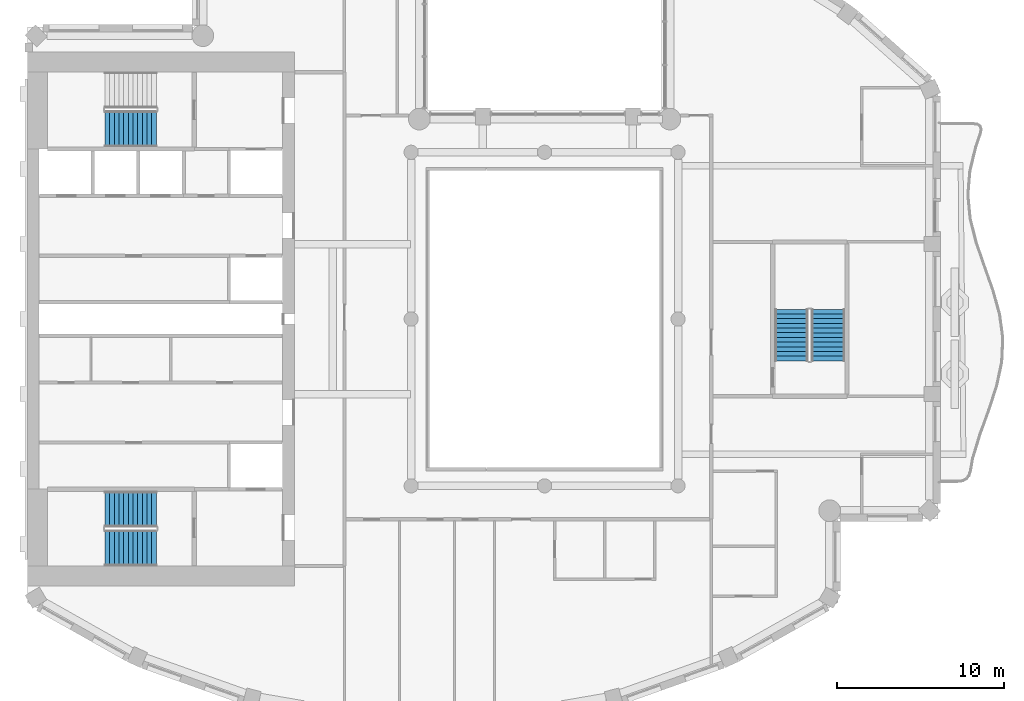
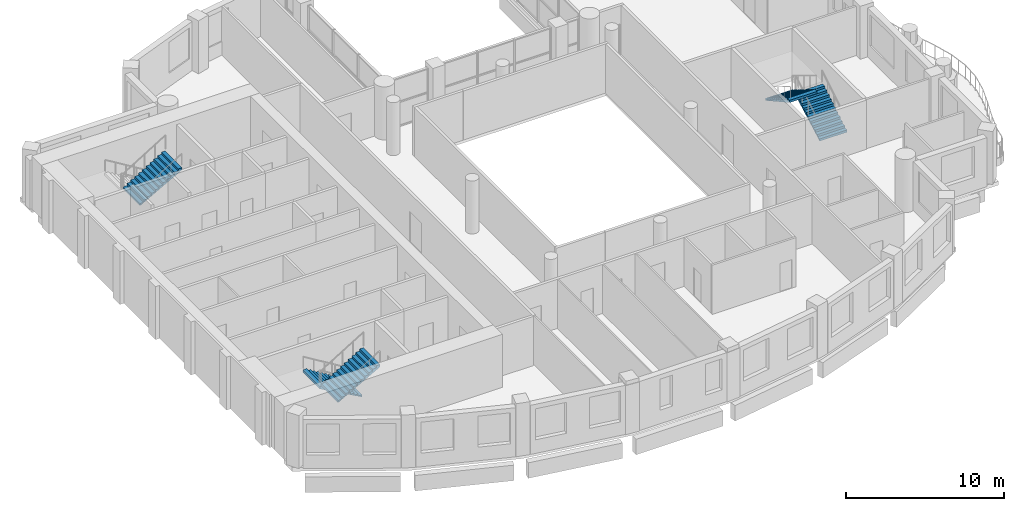
# One storey, part 8 of 14: 5 stair flights, 3 elements without a shape of their own.
"""IFC4 building model written with IfcOpenShell, lengths in metres."""

from ifc_helpers import new_model, si_unit, direction, frame, origin, place, context, subcontext, project, spatial, triangles, material, type_object, element, aggregate, save


model = new_model("IFC4")

# Units and contexts
model_context = context("Model", 3, precision=1e-05, world=origin(), true_north=direction((0.0, 1.0)))
body_context = subcontext(model_context, "Body", "Model", "MODEL_VIEW")
ifc_project = project(units=[si_unit("LENGTHUNIT", "METRE"), si_unit("AREAUNIT", "SQUARE_METRE"), si_unit("VOLUMEUNIT", "CUBIC_METRE"), si_unit("PLANEANGLEUNIT", "RADIAN"), si_unit("MASSUNIT", "GRAM", prefix="KILO")], contexts=[model_context])

# Site, building, storey
site_placement = place(None, origin())
site = spatial("IfcSite", under=ifc_project, at=site_placement, CompositionType="ELEMENT")
building_placement = place(site_placement, origin())
building = spatial("IfcBuilding", under=site, at=building_placement, Name="Cypress Arch Tower", CompositionType="ELEMENT")
storey_placement = place(building_placement, frame((0.0, 0.0, 284.39990234375)))
storey = spatial("IfcBuildingStorey", under=building, at=storey_placement, Name="L64", CompositionType="ELEMENT", Elevation=284.39990234375)

# Stair, stair flights
ifc_material_1 = material(Name="Concrete C40/50", Category="concrete")
stair_type_1 = type_object("IfcStairType", Name="Exit stair ES1708-200", PredefinedType="HALF_TURN_STAIR", material=ifc_material_1)
stair_1_placement = place(storey_placement, origin())
stair_1 = element("IfcStair", 1, at=stair_1_placement, inside=storey, type_object=stair_type_1, Name="L64 Exit stair C", PredefinedType="HALF_TURN_STAIR")
ifc_material_2 = material(Name="Concrete C40/50", Category="concrete")
stair_flight_type_1 = type_object("IfcStairFlightType", Name="Exit stair flight ES1708-200", PredefinedType="STRAIGHT", material=ifc_material_2)
stair_flight_1_placement = place(storey_placement, frame((18.0, -2.5, 0.0), z_axis=(0.0, 0.0, 1.0), x_axis=(0.0, 1.0, 0.0)))
stair_flight_1 = element("IfcStairFlight", 2, at=stair_flight_1_placement, type_object=stair_flight_type_1, Name="C flight 1", NumberOfRisers=12, NumberOfTreads=11, PredefinedType="STRAIGHT", RiserHeight=0.170833333, TreadLength=0.28, context=body_context, shape_type="Tessellation", body=[
    triangles([(0.0, -1.0, 0.0), (0.0, -1.0, 0.1708984375), (0.280029296875, -1.0, 0.1708984375), (0.280029296875, -1.0, 0.341552734375), (0.56005859375, -1.0, 0.341552734375), (0.56005859375, -1.0, 0.512451171875), (0.840087890625, -1.0, 0.512451171875), (0.840087890625, -1.0, 0.683349609375), (1.1201171875, -1.0, 0.683349609375), (1.1201171875, -1.0, 0.854248046875), (1.39990234375, -1.0, 0.854248046875), (1.39990234375, -1.0, 1.02490234375), (1.679931640625, -1.0, 1.02490234375), (1.679931640625, -1.0, 1.19580078125), (1.9599609375, -1.0, 1.19580078125), (1.9599609375, -1.0, 1.36669921875), (2.239990234375, -1.0, 1.36669921875), (2.239990234375, -1.0, 1.53759765625), (2.52001953125, -1.0, 1.53759765625), (2.52001953125, -1.0, 1.708251953125), (2.800048828125, -1.0, 1.708251953125), (2.800048828125, -1.0, 1.879150390625), (3.080078125, -1.0, 1.879150390625), (3.080078125, -1.0, 1.70361328125), (3.080078125, 1.0, 1.70361328125), (3.080078125, 1.0, 1.879150390625), (2.800048828125, 1.0, 1.879150390625), (2.800048828125, 1.0, 1.708251953125), (2.52001953125, 1.0, 1.708251953125), (2.52001953125, 1.0, 1.53759765625), (2.239990234375, 1.0, 1.53759765625), (2.239990234375, 1.0, 1.36669921875), (1.9599609375, 1.0, 1.36669921875), (1.9599609375, 1.0, 1.19580078125), (1.679931640625, 1.0, 1.19580078125), (1.679931640625, 1.0, 1.02490234375), (1.39990234375, 1.0, 1.02490234375), (1.39990234375, 1.0, 0.854248046875), (1.1201171875, 1.0, 0.854248046875), (1.1201171875, 1.0, 0.683349609375), (0.840087890625, 1.0, 0.683349609375), (0.840087890625, 1.0, 0.512451171875), (0.56005859375, 1.0, 0.512451171875), (0.56005859375, 1.0, 0.341552734375), (0.280029296875, 1.0, 0.341552734375), (0.280029296875, 1.0, 0.1708984375), (0.0, 1.0, 0.1708984375), (0.0, 1.0, 0.0), (3.080078125, 0.0, 1.879150390625), (3.080078125, 0.0, 1.70361328125), (2.800048828125, 0.0, 1.879150390625), (2.800048828125, 0.0, 1.708251953125), (2.52001953125, 0.0, 1.708251953125), (2.52001953125, 0.0, 1.53759765625), (2.239990234375, 0.0, 1.53759765625), (2.239990234375, 0.0, 1.36669921875), (1.9599609375, 0.0, 1.36669921875), (1.9599609375, 0.0, 1.19580078125), (1.679931640625, 0.0, 1.19580078125), (1.679931640625, 0.0, 1.02490234375), (1.39990234375, 0.0, 1.02490234375), (1.39990234375, 0.0, 0.854248046875), (1.1201171875, 0.0, 0.854248046875), (1.1201171875, 0.0, 0.683349609375), (0.840087890625, 0.0, 0.683349609375), (0.840087890625, 0.0, 0.512451171875), (0.56005859375, 0.0, 0.512451171875), (0.56005859375, 0.0, 0.341552734375), (0.280029296875, 0.0, 0.341552734375), (0.280029296875, 0.0, 0.1708984375), (0.0, 0.0, 0.1708984375), (0.0, 0.0, 0.0)], [[24, 23, 22], [11, 10, 9], [19, 18, 17], [17, 16, 15], [15, 14, 13], [9, 8, 7], [7, 6, 5], [3, 2, 1], [21, 20, 19], [13, 12, 11], [5, 4, 3], [24, 22, 21], [24, 21, 19], [24, 19, 17], [24, 17, 15], [24, 15, 13], [24, 13, 11], [24, 11, 9], [24, 9, 7], [24, 7, 5], [1, 24, 5], [5, 3, 1], [25, 27, 26], [38, 40, 39], [30, 32, 31], [32, 34, 33], [34, 36, 35], [40, 42, 41], [42, 44, 43], [46, 48, 47], [28, 30, 29], [36, 38, 37], [44, 46, 45], [25, 28, 27], [25, 30, 28], [25, 32, 30], [25, 34, 32], [25, 36, 34], [25, 38, 36], [25, 40, 38], [25, 42, 40], [25, 44, 42], [48, 44, 25], [44, 48, 46], [50, 49, 23], [50, 23, 24], [25, 26, 49], [25, 49, 50], [49, 51, 22], [49, 22, 23], [26, 27, 51], [26, 51, 49], [51, 52, 21], [51, 21, 22], [27, 28, 52], [27, 52, 51], [52, 53, 20], [52, 20, 21], [28, 29, 53], [28, 53, 52], [53, 54, 19], [53, 19, 20], [29, 30, 54], [29, 54, 53], [54, 55, 18], [54, 18, 19], [30, 31, 55], [30, 55, 54], [55, 56, 17], [55, 17, 18], [31, 32, 56], [31, 56, 55], [56, 57, 16], [56, 16, 17], [32, 33, 57], [32, 57, 56], [57, 58, 15], [57, 15, 16], [33, 34, 58], [33, 58, 57], [58, 59, 14], [58, 14, 15], [34, 35, 59], [34, 59, 58], [59, 60, 13], [59, 13, 14], [35, 36, 60], [35, 60, 59], [60, 61, 12], [60, 12, 13], [36, 37, 61], [36, 61, 60], [61, 62, 11], [61, 11, 12], [37, 38, 62], [37, 62, 61], [62, 63, 10], [62, 10, 11], [38, 39, 63], [38, 63, 62], [63, 64, 9], [63, 9, 10], [39, 40, 64], [39, 64, 63], [64, 65, 8], [64, 8, 9], [40, 41, 65], [40, 65, 64], [65, 66, 7], [65, 7, 8], [41, 42, 66], [41, 66, 65], [66, 67, 6], [66, 6, 7], [42, 43, 67], [42, 67, 66], [67, 68, 5], [67, 5, 6], [43, 44, 68], [43, 68, 67], [68, 69, 4], [68, 4, 5], [44, 45, 69], [44, 69, 68], [69, 70, 3], [69, 3, 4], [45, 46, 70], [45, 70, 69], [70, 71, 2], [70, 2, 3], [46, 47, 71], [46, 71, 70], [71, 72, 1], [71, 1, 2], [47, 48, 72], [47, 72, 71], [72, 50, 24], [72, 24, 1], [48, 25, 50], [48, 50, 72]], closed=True),
])
stair_flight_2_placement = place(storey_placement, frame((15.800048828125, 0.580078125, 2.050048828125), z_axis=(0.0, 0.0, 1.0), x_axis=(0.0, -1.0, 0.0)))
stair_flight_2 = element("IfcStairFlight", 3, at=stair_flight_2_placement, type_object=stair_flight_type_1, Name="C flight 2", NumberOfRisers=12, NumberOfTreads=11, PredefinedType="STRAIGHT", RiserHeight=0.170833333, TreadLength=0.28, context=body_context, shape_type="Tessellation", body=[
    triangles([(0.0, -1.0, 0.0), (0.0, -1.0, 0.1708984375), (0.280029296875, -1.0, 0.1708984375), (0.280029296875, -1.0, 0.341552734375), (0.56005859375, -1.0, 0.341552734375), (0.56005859375, -1.0, 0.512451171875), (0.840087890625, -1.0, 0.512451171875), (0.840087890625, -1.0, 0.683349609375), (1.1201171875, -1.0, 0.683349609375), (1.1201171875, -1.0, 0.854248046875), (1.39990234375, -1.0, 0.854248046875), (1.39990234375, -1.0, 1.02490234375), (1.679931640625, -1.0, 1.02490234375), (1.679931640625, -1.0, 1.19580078125), (1.9599609375, -1.0, 1.19580078125), (1.9599609375, -1.0, 1.36669921875), (2.239990234375, -1.0, 1.36669921875), (2.239990234375, -1.0, 1.53759765625), (2.52001953125, -1.0, 1.53759765625), (2.52001953125, -1.0, 1.708251953125), (2.800048828125, -1.0, 1.708251953125), (2.800048828125, -1.0, 1.879150390625), (3.080078125, -1.0, 1.879150390625), (3.080078125, -1.0, 1.70361328125), (3.080078125, 1.0, 1.70361328125), (3.080078125, 1.0, 1.879150390625), (2.800048828125, 1.0, 1.879150390625), (2.800048828125, 1.0, 1.708251953125), (2.52001953125, 1.0, 1.708251953125), (2.52001953125, 1.0, 1.53759765625), (2.239990234375, 1.0, 1.53759765625), (2.239990234375, 1.0, 1.36669921875), (1.9599609375, 1.0, 1.36669921875), (1.9599609375, 1.0, 1.19580078125), (1.679931640625, 1.0, 1.19580078125), (1.679931640625, 1.0, 1.02490234375), (1.39990234375, 1.0, 1.02490234375), (1.39990234375, 1.0, 0.854248046875), (1.1201171875, 1.0, 0.854248046875), (1.1201171875, 1.0, 0.683349609375), (0.840087890625, 1.0, 0.683349609375), (0.840087890625, 1.0, 0.512451171875), (0.56005859375, 1.0, 0.512451171875), (0.56005859375, 1.0, 0.341552734375), (0.280029296875, 1.0, 0.341552734375), (0.280029296875, 1.0, 0.1708984375), (0.0, 1.0, 0.1708984375), (0.0, 1.0, 0.0), (3.080078125, 0.0, 1.879150390625), (3.080078125, 0.0, 1.70361328125), (2.800048828125, 0.0, 1.879150390625), (2.800048828125, 0.0, 1.708251953125), (2.52001953125, 0.0, 1.708251953125), (2.52001953125, 0.0, 1.53759765625), (2.239990234375, 0.0, 1.53759765625), (2.239990234375, 0.0, 1.36669921875), (1.9599609375, 0.0, 1.36669921875), (1.9599609375, 0.0, 1.19580078125), (1.679931640625, 0.0, 1.19580078125), (1.679931640625, 0.0, 1.02490234375), (1.39990234375, 0.0, 1.02490234375), (1.39990234375, 0.0, 0.854248046875), (1.1201171875, 0.0, 0.854248046875), (1.1201171875, 0.0, 0.683349609375), (0.840087890625, 0.0, 0.683349609375), (0.840087890625, 0.0, 0.512451171875), (0.56005859375, 0.0, 0.512451171875), (0.56005859375, 0.0, 0.341552734375), (0.280029296875, 0.0, 0.341552734375), (0.280029296875, 0.0, 0.1708984375), (0.0, 0.0, 0.1708984375), (0.0, 0.0, 0.0)], [[24, 23, 22], [11, 10, 9], [19, 18, 17], [17, 16, 15], [15, 14, 13], [9, 8, 7], [7, 6, 5], [3, 2, 1], [21, 20, 19], [13, 12, 11], [5, 4, 3], [24, 22, 21], [24, 21, 19], [24, 19, 17], [24, 17, 15], [24, 15, 13], [24, 13, 11], [24, 11, 9], [24, 9, 7], [24, 7, 5], [1, 24, 5], [5, 3, 1], [25, 27, 26], [38, 40, 39], [30, 32, 31], [32, 34, 33], [34, 36, 35], [40, 42, 41], [42, 44, 43], [46, 48, 47], [28, 30, 29], [36, 38, 37], [44, 46, 45], [25, 28, 27], [25, 30, 28], [25, 32, 30], [25, 34, 32], [25, 36, 34], [25, 38, 36], [25, 40, 38], [25, 42, 40], [25, 44, 42], [48, 44, 25], [44, 48, 46], [50, 49, 23], [50, 23, 24], [25, 26, 49], [25, 49, 50], [49, 51, 22], [49, 22, 23], [26, 27, 51], [26, 51, 49], [51, 52, 21], [51, 21, 22], [27, 28, 52], [27, 52, 51], [52, 53, 20], [52, 20, 21], [28, 29, 53], [28, 53, 52], [53, 54, 19], [53, 19, 20], [29, 30, 54], [29, 54, 53], [54, 55, 18], [54, 18, 19], [30, 31, 55], [30, 55, 54], [55, 56, 17], [55, 17, 18], [31, 32, 56], [31, 56, 55], [56, 57, 16], [56, 16, 17], [32, 33, 57], [32, 57, 56], [57, 58, 15], [57, 15, 16], [33, 34, 58], [33, 58, 57], [58, 59, 14], [58, 14, 15], [34, 35, 59], [34, 59, 58], [59, 60, 13], [59, 13, 14], [35, 36, 60], [35, 60, 59], [60, 61, 12], [60, 12, 13], [36, 37, 61], [36, 61, 60], [61, 62, 11], [61, 11, 12], [37, 38, 62], [37, 62, 61], [62, 63, 10], [62, 10, 11], [38, 39, 63], [38, 63, 62], [63, 64, 9], [63, 9, 10], [39, 40, 64], [39, 64, 63], [64, 65, 8], [64, 8, 9], [40, 41, 65], [40, 65, 64], [65, 66, 7], [65, 7, 8], [41, 42, 66], [41, 66, 65], [66, 67, 6], [66, 6, 7], [42, 43, 67], [42, 67, 66], [67, 68, 5], [67, 5, 6], [43, 44, 68], [43, 68, 67], [68, 69, 4], [68, 4, 5], [44, 45, 69], [44, 69, 68], [69, 70, 3], [69, 3, 4], [45, 46, 70], [45, 70, 69], [70, 71, 2], [70, 2, 3], [46, 47, 71], [46, 71, 70], [71, 72, 1], [71, 1, 2], [47, 48, 72], [47, 72, 71], [72, 50, 24], [72, 24, 1], [48, 25, 50], [48, 50, 72]], closed=True),
])
aggregate(stair_1, [stair_flight_1, stair_flight_2])

ifc_material_3 = material(Name="Concrete C40/50", Category="concrete")
stair_type_2 = type_object("IfcStairType", Name="Exit stair ES1708-215", PredefinedType="HALF_TURN_STAIR", material=ifc_material_3)
stair_2_placement = place(storey_placement, origin())
stair_2 = element("IfcStair", 4, at=stair_2_placement, inside=storey, type_object=stair_type_2, Name="L64 Exit stair A", PredefinedType="HALF_TURN_STAIR")
ifc_material_4 = material(Name="Concrete C40/50", Category="concrete")
stair_flight_type_2 = type_object("IfcStairFlightType", Name="Exit stair flight ES1708-215", PredefinedType="STRAIGHT", material=ifc_material_4)
stair_flight_3_placement = place(storey_placement, frame((-22.27490234375, -11.39990234375, 0.0), z_axis=(0.0, 0.0, 1.0), x_axis=(-1.0, 0.0, 0.0)))
stair_flight_3 = element("IfcStairFlight", 5, at=stair_flight_3_placement, type_object=stair_flight_type_2, Name="A flight 1", NumberOfRisers=12, NumberOfTreads=11, PredefinedType="STRAIGHT", RiserHeight=0.170833333, TreadLength=0.28, context=body_context, shape_type="Tessellation", body=[
    triangles([(0.0, -1.074951171875, 0.0), (0.000244140625, -1.074951171875, 0.01904296875), (0.000244140625, -1.074951171875, 0.0380859375), (0.00048828125, -1.074951171875, 0.056884765625), (0.00048828125, -1.074951171875, 0.075927734375), (0.00048828125, -1.074951171875, 0.094970703125), (0.00048828125, -1.074951171875, 0.114013671875), (0.000244140625, -1.074951171875, 0.1328125), (0.000244140625, -1.074951171875, 0.15185546875), (0.0, -1.074951171875, 0.1708984375), (0.280029296875, -1.074951171875, 0.1708984375), (0.280029296875, -1.074951171875, 0.341552734375), (0.56005859375, -1.074951171875, 0.341552734375), (0.56005859375, -1.074951171875, 0.512451171875), (0.840087890625, -1.074951171875, 0.512451171875), (0.840087890625, -1.074951171875, 0.683349609375), (1.1201171875, -1.074951171875, 0.683349609375), (1.1201171875, -1.074951171875, 0.854248046875), (1.39990234375, -1.074951171875, 0.854248046875), (1.39990234375, -1.074951171875, 1.02490234375), (1.679931640625, -1.074951171875, 1.02490234375), (1.679931640625, -1.074951171875, 1.19580078125), (1.9599609375, -1.074951171875, 1.19580078125), (1.9599609375, -1.074951171875, 1.36669921875), (2.239990234375, -1.074951171875, 1.36669921875), (2.239990234375, -1.074951171875, 1.53759765625), (2.52001953125, -1.074951171875, 1.53759765625), (2.52001953125, -1.074951171875, 1.708251953125), (2.800048828125, -1.074951171875, 1.708251953125), (2.800048828125, -1.074951171875, 1.879150390625), (3.080078125, -1.074951171875, 1.879150390625), (3.079833984375, -1.074951171875, 1.859619140625), (3.079833984375, -1.074951171875, 1.840087890625), (3.07958984375, -1.074951171875, 1.820556640625), (3.07958984375, -1.074951171875, 1.801025390625), (3.07958984375, -1.074951171875, 1.78173828125), (3.07958984375, -1.074951171875, 1.76220703125), (3.079833984375, -1.074951171875, 1.74267578125), (3.079833984375, -1.074951171875, 1.72314453125), (3.080078125, -1.074951171875, 1.70361328125), (3.080078125, 1.074951171875, 1.70361328125), (3.079833984375, 1.074951171875, 1.72314453125), (3.079833984375, 1.074951171875, 1.74267578125), (3.07958984375, 1.074951171875, 1.76220703125), (3.07958984375, 1.074951171875, 1.78173828125), (3.07958984375, 1.074951171875, 1.801025390625), (3.07958984375, 1.074951171875, 1.820556640625), (3.079833984375, 1.074951171875, 1.840087890625), (3.079833984375, 1.074951171875, 1.859619140625), (3.080078125, 1.074951171875, 1.879150390625), (2.800048828125, 1.074951171875, 1.879150390625), (2.800048828125, 1.074951171875, 1.708251953125), (2.52001953125, 1.074951171875, 1.708251953125), (2.52001953125, 1.074951171875, 1.53759765625), (2.239990234375, 1.074951171875, 1.53759765625), (2.239990234375, 1.074951171875, 1.36669921875), (1.9599609375, 1.074951171875, 1.36669921875), (1.9599609375, 1.074951171875, 1.19580078125), (1.679931640625, 1.074951171875, 1.19580078125), (1.679931640625, 1.074951171875, 1.02490234375), (1.39990234375, 1.074951171875, 1.02490234375), (1.39990234375, 1.074951171875, 0.854248046875), (1.1201171875, 1.074951171875, 0.854248046875), (1.1201171875, 1.074951171875, 0.683349609375), (0.840087890625, 1.074951171875, 0.683349609375), (0.840087890625, 1.074951171875, 0.512451171875), (0.56005859375, 1.074951171875, 0.512451171875), (0.56005859375, 1.074951171875, 0.341552734375), (0.280029296875, 1.074951171875, 0.341552734375), (0.280029296875, 1.074951171875, 0.1708984375), (0.0, 1.074951171875, 0.1708984375), (0.000244140625, 1.074951171875, 0.15185546875), (0.000244140625, 1.074951171875, 0.1328125), (0.00048828125, 1.074951171875, 0.114013671875), (0.00048828125, 1.074951171875, 0.094970703125), (0.00048828125, 1.074951171875, 0.075927734375), (0.00048828125, 1.074951171875, 0.056884765625), (0.000244140625, 1.074951171875, 0.0380859375), (0.000244140625, 1.074951171875, 0.01904296875), (0.0, 1.074951171875, 0.0)], [[40, 39, 30], [39, 38, 30], [38, 37, 30], [37, 36, 30], [36, 35, 30], [35, 34, 30], [34, 33, 30], [33, 32, 30], [32, 31, 30], [19, 18, 17], [27, 26, 25], [25, 24, 23], [23, 22, 21], [17, 16, 15], [15, 14, 13], [10, 9, 11], [9, 8, 11], [8, 7, 11], [7, 6, 11], [6, 5, 11], [5, 4, 11], [4, 3, 11], [3, 2, 11], [2, 1, 11], [29, 28, 27], [21, 20, 19], [13, 12, 11], [40, 30, 29], [40, 29, 27], [40, 27, 25], [40, 25, 23], [40, 23, 21], [40, 21, 19], [40, 19, 17], [40, 17, 15], [40, 15, 13], [1, 40, 13], [13, 11, 1], [41, 51, 42], [42, 51, 43], [43, 51, 44], [44, 51, 45], [45, 51, 46], [46, 51, 47], [47, 51, 48], [48, 51, 49], [49, 51, 50], [62, 64, 63], [54, 56, 55], [56, 58, 57], [58, 60, 59], [64, 66, 65], [66, 68, 67], [71, 70, 72], [72, 70, 73], [73, 70, 74], [74, 70, 75], [75, 70, 76], [76, 70, 77], [77, 70, 78], [78, 70, 79], [79, 70, 80], [52, 54, 53], [60, 62, 61], [68, 70, 69], [41, 52, 51], [41, 54, 52], [41, 56, 54], [41, 58, 56], [41, 60, 58], [41, 62, 60], [41, 64, 62], [41, 66, 64], [41, 68, 66], [80, 68, 41], [68, 80, 70], [41, 42, 39], [41, 39, 40], [42, 43, 38], [42, 38, 39], [43, 44, 37], [43, 37, 38], [44, 45, 36], [44, 36, 37], [45, 46, 35], [45, 35, 36], [46, 47, 34], [46, 34, 35], [47, 48, 33], [47, 33, 34], [48, 49, 32], [48, 32, 33], [49, 50, 31], [49, 31, 32], [50, 51, 30], [50, 30, 31], [51, 52, 29], [51, 29, 30], [52, 53, 28], [52, 28, 29], [53, 54, 27], [53, 27, 28], [54, 55, 26], [54, 26, 27], [55, 56, 25], [55, 25, 26], [56, 57, 24], [56, 24, 25], [57, 58, 23], [57, 23, 24], [58, 59, 22], [58, 22, 23], [59, 60, 21], [59, 21, 22], [60, 61, 20], [60, 20, 21], [61, 62, 19], [61, 19, 20], [62, 63, 18], [62, 18, 19], [63, 64, 17], [63, 17, 18], [64, 65, 16], [64, 16, 17], [65, 66, 15], [65, 15, 16], [66, 67, 14], [66, 14, 15], [67, 68, 13], [67, 13, 14], [68, 69, 12], [68, 12, 13], [69, 70, 11], [69, 11, 12], [70, 71, 10], [70, 10, 11], [71, 72, 9], [71, 9, 10], [72, 73, 8], [72, 8, 9], [73, 74, 7], [73, 7, 8], [74, 75, 6], [74, 6, 7], [75, 76, 5], [75, 5, 6], [76, 77, 4], [76, 4, 5], [77, 78, 3], [77, 3, 4], [78, 79, 2], [78, 2, 3], [79, 80, 1], [79, 1, 2], [80, 41, 40], [80, 40, 1]], closed=True),
])
stair_flight_4_placement = place(storey_placement, frame((-25.35498046875, -13.72509765625, 2.050048828125), z_axis=(0.0, 0.0, 1.0), x_axis=(1.0, 0.0, 0.0)))
stair_flight_4 = element("IfcStairFlight", 6, at=stair_flight_4_placement, type_object=stair_flight_type_2, Name="A flight 2", NumberOfRisers=12, NumberOfTreads=11, PredefinedType="STRAIGHT", RiserHeight=0.170833333, TreadLength=0.28, context=body_context, shape_type="Tessellation", body=[
    triangles([(0.0, -1.074951171875, 0.0), (0.000244140625, -1.074951171875, 0.01904296875), (0.000244140625, -1.074951171875, 0.0380859375), (0.00048828125, -1.074951171875, 0.056884765625), (0.00048828125, -1.074951171875, 0.075927734375), (0.00048828125, -1.074951171875, 0.094970703125), (0.00048828125, -1.074951171875, 0.114013671875), (0.000244140625, -1.074951171875, 0.1328125), (0.000244140625, -1.074951171875, 0.15185546875), (0.0, -1.074951171875, 0.1708984375), (0.280029296875, -1.074951171875, 0.1708984375), (0.280029296875, -1.074951171875, 0.341552734375), (0.56005859375, -1.074951171875, 0.341552734375), (0.56005859375, -1.074951171875, 0.512451171875), (0.840087890625, -1.074951171875, 0.512451171875), (0.840087890625, -1.074951171875, 0.683349609375), (1.1201171875, -1.074951171875, 0.683349609375), (1.1201171875, -1.074951171875, 0.854248046875), (1.39990234375, -1.074951171875, 0.854248046875), (1.39990234375, -1.074951171875, 1.02490234375), (1.679931640625, -1.074951171875, 1.02490234375), (1.679931640625, -1.074951171875, 1.19580078125), (1.9599609375, -1.074951171875, 1.19580078125), (1.9599609375, -1.074951171875, 1.36669921875), (2.239990234375, -1.074951171875, 1.36669921875), (2.239990234375, -1.074951171875, 1.53759765625), (2.52001953125, -1.074951171875, 1.53759765625), (2.52001953125, -1.074951171875, 1.708251953125), (2.800048828125, -1.074951171875, 1.708251953125), (2.800048828125, -1.074951171875, 1.879150390625), (3.080078125, -1.074951171875, 1.879150390625), (3.079833984375, -1.074951171875, 1.859619140625), (3.079833984375, -1.074951171875, 1.840087890625), (3.07958984375, -1.074951171875, 1.820556640625), (3.07958984375, -1.074951171875, 1.801025390625), (3.07958984375, -1.074951171875, 1.78173828125), (3.07958984375, -1.074951171875, 1.76220703125), (3.079833984375, -1.074951171875, 1.74267578125), (3.079833984375, -1.074951171875, 1.72314453125), (3.080078125, -1.074951171875, 1.70361328125), (3.080078125, 1.074951171875, 1.70361328125), (3.079833984375, 1.074951171875, 1.72314453125), (3.079833984375, 1.074951171875, 1.74267578125), (3.07958984375, 1.074951171875, 1.76220703125), (3.07958984375, 1.074951171875, 1.78173828125), (3.07958984375, 1.074951171875, 1.801025390625), (3.07958984375, 1.074951171875, 1.820556640625), (3.079833984375, 1.074951171875, 1.840087890625), (3.079833984375, 1.074951171875, 1.859619140625), (3.080078125, 1.074951171875, 1.879150390625), (2.800048828125, 1.074951171875, 1.879150390625), (2.800048828125, 1.074951171875, 1.708251953125), (2.52001953125, 1.074951171875, 1.708251953125), (2.52001953125, 1.074951171875, 1.53759765625), (2.239990234375, 1.074951171875, 1.53759765625), (2.239990234375, 1.074951171875, 1.36669921875), (1.9599609375, 1.074951171875, 1.36669921875), (1.9599609375, 1.074951171875, 1.19580078125), (1.679931640625, 1.074951171875, 1.19580078125), (1.679931640625, 1.074951171875, 1.02490234375), (1.39990234375, 1.074951171875, 1.02490234375), (1.39990234375, 1.074951171875, 0.854248046875), (1.1201171875, 1.074951171875, 0.854248046875), (1.1201171875, 1.074951171875, 0.683349609375), (0.840087890625, 1.074951171875, 0.683349609375), (0.840087890625, 1.074951171875, 0.512451171875), (0.56005859375, 1.074951171875, 0.512451171875), (0.56005859375, 1.074951171875, 0.341552734375), (0.280029296875, 1.074951171875, 0.341552734375), (0.280029296875, 1.074951171875, 0.1708984375), (0.0, 1.074951171875, 0.1708984375), (0.000244140625, 1.074951171875, 0.15185546875), (0.000244140625, 1.074951171875, 0.1328125), (0.00048828125, 1.074951171875, 0.114013671875), (0.00048828125, 1.074951171875, 0.094970703125), (0.00048828125, 1.074951171875, 0.075927734375), (0.00048828125, 1.074951171875, 0.056884765625), (0.000244140625, 1.074951171875, 0.0380859375), (0.000244140625, 1.074951171875, 0.01904296875), (0.0, 1.074951171875, 0.0)], [[40, 39, 30], [39, 38, 30], [38, 37, 30], [37, 36, 30], [36, 35, 30], [35, 34, 30], [34, 33, 30], [33, 32, 30], [32, 31, 30], [19, 18, 17], [27, 26, 25], [25, 24, 23], [23, 22, 21], [17, 16, 15], [15, 14, 13], [10, 9, 11], [9, 8, 11], [8, 7, 11], [7, 6, 11], [6, 5, 11], [5, 4, 11], [4, 3, 11], [3, 2, 11], [2, 1, 11], [29, 28, 27], [21, 20, 19], [13, 12, 11], [40, 30, 29], [40, 29, 27], [40, 27, 25], [40, 25, 23], [40, 23, 21], [40, 21, 19], [40, 19, 17], [40, 17, 15], [40, 15, 13], [1, 40, 13], [13, 11, 1], [41, 51, 42], [42, 51, 43], [43, 51, 44], [44, 51, 45], [45, 51, 46], [46, 51, 47], [47, 51, 48], [48, 51, 49], [49, 51, 50], [62, 64, 63], [54, 56, 55], [56, 58, 57], [58, 60, 59], [64, 66, 65], [66, 68, 67], [71, 70, 72], [72, 70, 73], [73, 70, 74], [74, 70, 75], [75, 70, 76], [76, 70, 77], [77, 70, 78], [78, 70, 79], [79, 70, 80], [52, 54, 53], [60, 62, 61], [68, 70, 69], [41, 52, 51], [41, 54, 52], [41, 56, 54], [41, 58, 56], [41, 60, 58], [41, 62, 60], [41, 64, 62], [41, 66, 64], [41, 68, 66], [80, 68, 41], [68, 80, 70], [41, 42, 39], [41, 39, 40], [42, 43, 38], [42, 38, 39], [43, 44, 37], [43, 37, 38], [44, 45, 36], [44, 36, 37], [45, 46, 35], [45, 35, 36], [46, 47, 34], [46, 34, 35], [47, 48, 33], [47, 33, 34], [48, 49, 32], [48, 32, 33], [49, 50, 31], [49, 31, 32], [50, 51, 30], [50, 30, 31], [51, 52, 29], [51, 29, 30], [52, 53, 28], [52, 28, 29], [53, 54, 27], [53, 27, 28], [54, 55, 26], [54, 26, 27], [55, 56, 25], [55, 25, 26], [56, 57, 24], [56, 24, 25], [57, 58, 23], [57, 23, 24], [58, 59, 22], [58, 22, 23], [59, 60, 21], [59, 21, 22], [60, 61, 20], [60, 20, 21], [61, 62, 19], [61, 19, 20], [62, 63, 18], [62, 18, 19], [63, 64, 17], [63, 17, 18], [64, 65, 16], [64, 16, 17], [65, 66, 15], [65, 15, 16], [66, 67, 14], [66, 14, 15], [67, 68, 13], [67, 13, 14], [68, 69, 12], [68, 12, 13], [69, 70, 11], [69, 11, 12], [70, 71, 10], [70, 10, 11], [71, 72, 9], [71, 9, 10], [72, 73, 8], [72, 8, 9], [73, 74, 7], [73, 7, 8], [74, 75, 6], [74, 6, 7], [75, 76, 5], [75, 5, 6], [76, 77, 4], [76, 4, 5], [77, 78, 3], [77, 3, 4], [78, 79, 2], [78, 2, 3], [79, 80, 1], [79, 1, 2], [80, 41, 40], [80, 40, 1]], closed=True),
])
aggregate(stair_2, [stair_flight_3, stair_flight_4])

# Stair, stair flight
stair_3_placement = place(storey_placement, origin())
stair_3 = element("IfcStair", 7, at=stair_3_placement, inside=storey, type_object=stair_type_2, Name="L64 Exit stair B", PredefinedType="HALF_TURN_STAIR")
stair_flight_5_placement = place(storey_placement, frame((-25.35498046875, 11.39990234375, 2.050048828125), z_axis=(0.0, 0.0, 1.0), x_axis=(1.0, 0.0, 0.0)))
stair_flight_5 = element("IfcStairFlight", 8, at=stair_flight_5_placement, type_object=stair_flight_type_2, Name="B flight 2", NumberOfRisers=12, NumberOfTreads=11, PredefinedType="STRAIGHT", RiserHeight=0.170833333, TreadLength=0.28, context=body_context, shape_type="Tessellation", body=[
    triangles([(0.0, -1.074951171875, 0.0), (0.000244140625, -1.074951171875, 0.01904296875), (0.000244140625, -1.074951171875, 0.0380859375), (0.00048828125, -1.074951171875, 0.056884765625), (0.00048828125, -1.074951171875, 0.075927734375), (0.00048828125, -1.074951171875, 0.094970703125), (0.00048828125, -1.074951171875, 0.114013671875), (0.000244140625, -1.074951171875, 0.1328125), (0.000244140625, -1.074951171875, 0.15185546875), (0.0, -1.074951171875, 0.1708984375), (0.280029296875, -1.074951171875, 0.1708984375), (0.280029296875, -1.074951171875, 0.341552734375), (0.56005859375, -1.074951171875, 0.341552734375), (0.56005859375, -1.074951171875, 0.512451171875), (0.840087890625, -1.074951171875, 0.512451171875), (0.840087890625, -1.074951171875, 0.683349609375), (1.1201171875, -1.074951171875, 0.683349609375), (1.1201171875, -1.074951171875, 0.854248046875), (1.39990234375, -1.074951171875, 0.854248046875), (1.39990234375, -1.074951171875, 1.02490234375), (1.679931640625, -1.074951171875, 1.02490234375), (1.679931640625, -1.074951171875, 1.19580078125), (1.9599609375, -1.074951171875, 1.19580078125), (1.9599609375, -1.074951171875, 1.36669921875), (2.239990234375, -1.074951171875, 1.36669921875), (2.239990234375, -1.074951171875, 1.53759765625), (2.52001953125, -1.074951171875, 1.53759765625), (2.52001953125, -1.074951171875, 1.708251953125), (2.800048828125, -1.074951171875, 1.708251953125), (2.800048828125, -1.074951171875, 1.879150390625), (3.080078125, -1.074951171875, 1.879150390625), (3.079833984375, -1.074951171875, 1.859619140625), (3.079833984375, -1.074951171875, 1.840087890625), (3.07958984375, -1.074951171875, 1.820556640625), (3.07958984375, -1.074951171875, 1.801025390625), (3.07958984375, -1.074951171875, 1.78173828125), (3.07958984375, -1.074951171875, 1.76220703125), (3.079833984375, -1.074951171875, 1.74267578125), (3.079833984375, -1.074951171875, 1.72314453125), (3.080078125, -1.074951171875, 1.70361328125), (3.080078125, 1.074951171875, 1.70361328125), (3.079833984375, 1.074951171875, 1.72314453125), (3.079833984375, 1.074951171875, 1.74267578125), (3.07958984375, 1.074951171875, 1.76220703125), (3.07958984375, 1.074951171875, 1.78173828125), (3.07958984375, 1.074951171875, 1.801025390625), (3.07958984375, 1.074951171875, 1.820556640625), (3.079833984375, 1.074951171875, 1.840087890625), (3.079833984375, 1.074951171875, 1.859619140625), (3.080078125, 1.074951171875, 1.879150390625), (2.800048828125, 1.074951171875, 1.879150390625), (2.800048828125, 1.074951171875, 1.708251953125), (2.52001953125, 1.074951171875, 1.708251953125), (2.52001953125, 1.074951171875, 1.53759765625), (2.239990234375, 1.074951171875, 1.53759765625), (2.239990234375, 1.074951171875, 1.36669921875), (1.9599609375, 1.074951171875, 1.36669921875), (1.9599609375, 1.074951171875, 1.19580078125), (1.679931640625, 1.074951171875, 1.19580078125), (1.679931640625, 1.074951171875, 1.02490234375), (1.39990234375, 1.074951171875, 1.02490234375), (1.39990234375, 1.074951171875, 0.854248046875), (1.1201171875, 1.074951171875, 0.854248046875), (1.1201171875, 1.074951171875, 0.683349609375), (0.840087890625, 1.074951171875, 0.683349609375), (0.840087890625, 1.074951171875, 0.512451171875), (0.56005859375, 1.074951171875, 0.512451171875), (0.56005859375, 1.074951171875, 0.341552734375), (0.280029296875, 1.074951171875, 0.341552734375), (0.280029296875, 1.074951171875, 0.1708984375), (0.0, 1.074951171875, 0.1708984375), (0.000244140625, 1.074951171875, 0.15185546875), (0.000244140625, 1.074951171875, 0.1328125), (0.00048828125, 1.074951171875, 0.114013671875), (0.00048828125, 1.074951171875, 0.094970703125), (0.00048828125, 1.074951171875, 0.075927734375), (0.00048828125, 1.074951171875, 0.056884765625), (0.000244140625, 1.074951171875, 0.0380859375), (0.000244140625, 1.074951171875, 0.01904296875), (0.0, 1.074951171875, 0.0)], [[40, 39, 30], [39, 38, 30], [38, 37, 30], [37, 36, 30], [36, 35, 30], [35, 34, 30], [34, 33, 30], [33, 32, 30], [32, 31, 30], [19, 18, 17], [27, 26, 25], [25, 24, 23], [23, 22, 21], [17, 16, 15], [15, 14, 13], [10, 9, 11], [9, 8, 11], [8, 7, 11], [7, 6, 11], [6, 5, 11], [5, 4, 11], [4, 3, 11], [3, 2, 11], [2, 1, 11], [29, 28, 27], [21, 20, 19], [13, 12, 11], [40, 30, 29], [40, 29, 27], [40, 27, 25], [40, 25, 23], [40, 23, 21], [40, 21, 19], [40, 19, 17], [40, 17, 15], [40, 15, 13], [1, 40, 13], [13, 11, 1], [41, 51, 42], [42, 51, 43], [43, 51, 44], [44, 51, 45], [45, 51, 46], [46, 51, 47], [47, 51, 48], [48, 51, 49], [49, 51, 50], [62, 64, 63], [54, 56, 55], [56, 58, 57], [58, 60, 59], [64, 66, 65], [66, 68, 67], [71, 70, 72], [72, 70, 73], [73, 70, 74], [74, 70, 75], [75, 70, 76], [76, 70, 77], [77, 70, 78], [78, 70, 79], [79, 70, 80], [52, 54, 53], [60, 62, 61], [68, 70, 69], [41, 52, 51], [41, 54, 52], [41, 56, 54], [41, 58, 56], [41, 60, 58], [41, 62, 60], [41, 64, 62], [41, 66, 64], [41, 68, 66], [80, 68, 41], [68, 80, 70], [41, 42, 39], [41, 39, 40], [42, 43, 38], [42, 38, 39], [43, 44, 37], [43, 37, 38], [44, 45, 36], [44, 36, 37], [45, 46, 35], [45, 35, 36], [46, 47, 34], [46, 34, 35], [47, 48, 33], [47, 33, 34], [48, 49, 32], [48, 32, 33], [49, 50, 31], [49, 31, 32], [50, 51, 30], [50, 30, 31], [51, 52, 29], [51, 29, 30], [52, 53, 28], [52, 28, 29], [53, 54, 27], [53, 27, 28], [54, 55, 26], [54, 26, 27], [55, 56, 25], [55, 25, 26], [56, 57, 24], [56, 24, 25], [57, 58, 23], [57, 23, 24], [58, 59, 22], [58, 22, 23], [59, 60, 21], [59, 21, 22], [60, 61, 20], [60, 20, 21], [61, 62, 19], [61, 19, 20], [62, 63, 18], [62, 18, 19], [63, 64, 17], [63, 17, 18], [64, 65, 16], [64, 16, 17], [65, 66, 15], [65, 15, 16], [66, 67, 14], [66, 14, 15], [67, 68, 13], [67, 13, 14], [68, 69, 12], [68, 12, 13], [69, 70, 11], [69, 11, 12], [70, 71, 10], [70, 10, 11], [71, 72, 9], [71, 9, 10], [72, 73, 8], [72, 8, 9], [73, 74, 7], [73, 7, 8], [74, 75, 6], [74, 6, 7], [75, 76, 5], [75, 5, 6], [76, 77, 4], [76, 4, 5], [77, 78, 3], [77, 3, 4], [78, 79, 2], [78, 2, 3], [79, 80, 1], [79, 1, 2], [80, 41, 40], [80, 40, 1]], closed=True),
])
aggregate(stair_3, [stair_flight_5])

save(model, "model.ifc")
